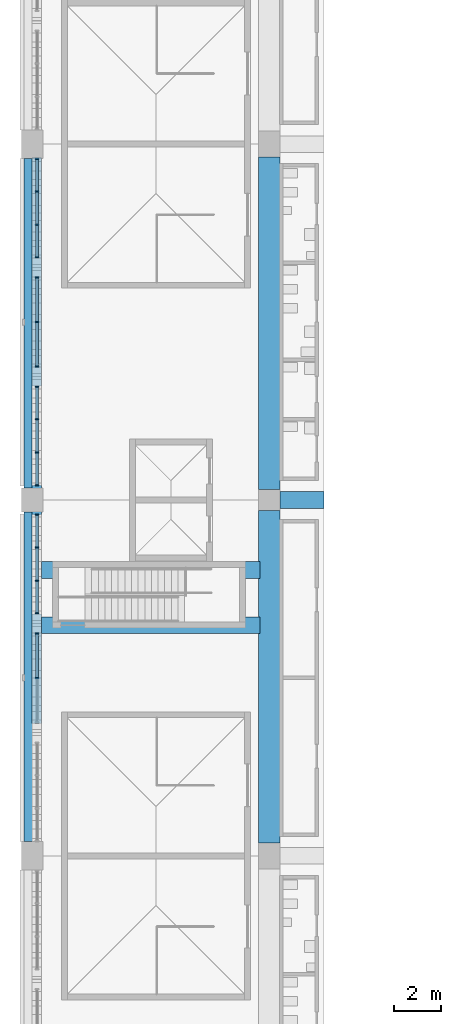
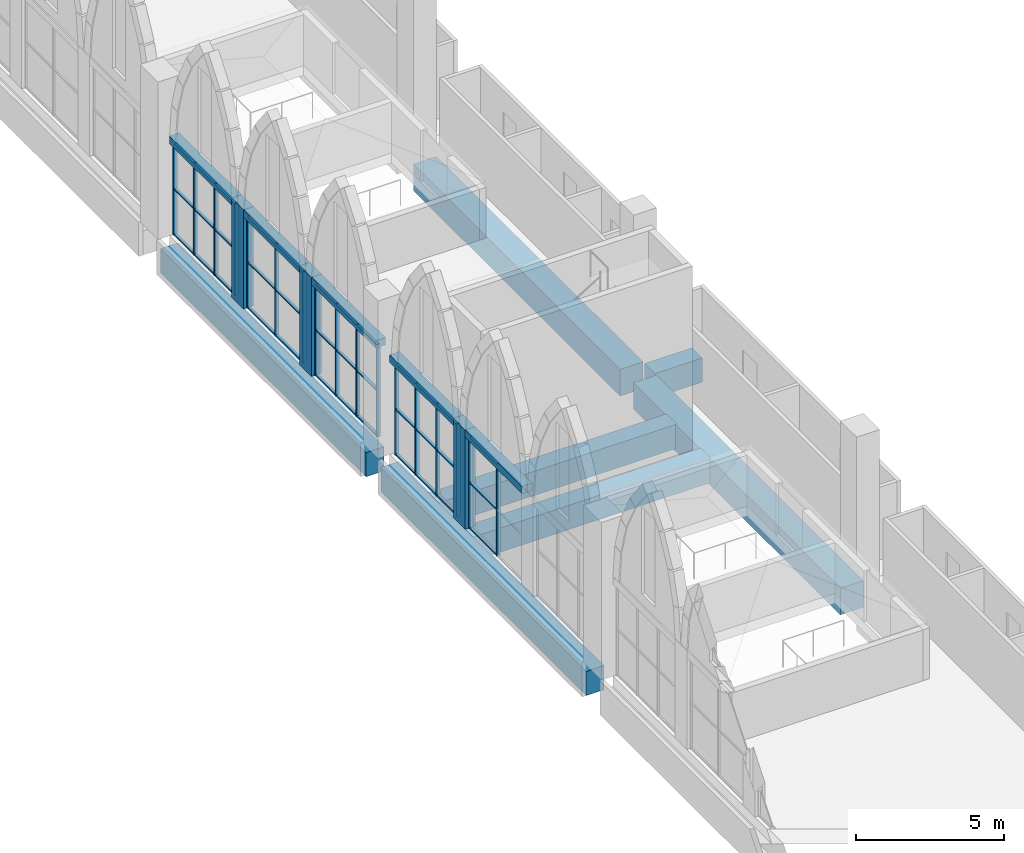
# One storey, part 15 of 130: 56 members, 12 beams, 5 elements without a shape of their own.
"""IFC4 building model written with IfcOpenShell, lengths in metres."""

from ifc_helpers import new_model, si_unit, direction, frame, origin, origin_2d, place, context, subcontext, project, spatial, rectangle, extrude, material, material_profile, profile_set, type_object, element, aggregate, save


model = new_model("IFC4")

# Units and contexts
model_context = context("Model", 3, precision=1e-05, world=origin(), true_north=direction((0.0, 1.0)))
body_context = subcontext(model_context, "Body", "Model", "MODEL_VIEW")
ifc_project = project(units=[si_unit("LENGTHUNIT", "METRE"), si_unit("AREAUNIT", "SQUARE_METRE"), si_unit("VOLUMEUNIT", "CUBIC_METRE"), si_unit("PLANEANGLEUNIT", "RADIAN"), si_unit("MASSUNIT", "GRAM", prefix="KILO")], contexts=[model_context])

# Site, building, storey
site_placement = place(None, origin())
site = spatial("IfcSite", under=ifc_project, at=site_placement, CompositionType="ELEMENT")
building_placement = place(site_placement, origin())
building = spatial("IfcBuilding", under=site, at=building_placement, Name="Ogive Plaza Stadium", CompositionType="ELEMENT")
storey_placement = place(building_placement, frame((0.0, 0.0, 22.5)))
storey = spatial("IfcBuildingStorey", under=building, at=storey_placement, Name="L05", CompositionType="ELEMENT", Elevation=22.5)

# Curtain wall, members
ifc_material_1 = material(Name="Bronze-anodised aluminium with laminated glass", Category="aluminium")
curtain_wall_type = type_object("IfcCurtainWallType", Name="Lancet curtain wall", PredefinedType="NOTDEFINED", material=ifc_material_1)
curtain_wall_1_placement = place(storey_placement, origin())
curtain_wall_1 = element("IfcCurtainWall", 1, at=curtain_wall_1_placement, inside=storey, type_object=curtain_wall_type, Name="CURTAIN WALL B24 L05", PredefinedType="NOTDEFINED")
ifc_material_2 = material(Name="Bronze-anodised aluminium", Category="aluminium")
ifc_material_profile_1 = material_profile(ifc_material_2, rectangle(XDim=0.14990234375, YDim=0.050048828125, at=origin_2d()), Name="AL 150x50")
ifc_profile_set_1 = profile_set([ifc_material_profile_1], Name="Bronze-anodised aluminium")
member_type_1 = type_object("IfcMemberType", Name="Curtain wall mullion 50x150", PredefinedType="MULLION", material=ifc_profile_set_1)
member_1_placement = place(storey_placement, frame((-83.800048828125, 0.0, 0.0), z_axis=(0.0, 0.0, 1.0), x_axis=(-1.0, 0.0, 0.0)))
member_1 = element("IfcMember", 2, at=member_1_placement, type_object=member_type_1, Name="CW-B24-L05.2 mullion 2", PredefinedType="MULLION", context=body_context, shape_type="SweptSolid", body=[
    extrude(rectangle(XDim=0.14990234375, YDim=0.050048828125, at=origin_2d()), origin(), (0.0, 0.0, 1.0), 3.800048828125),
])
member_2_placement = place(storey_placement, frame((-83.800048828125, 1.875, 0.0), z_axis=(0.0, 0.0, 1.0), x_axis=(-1.0, 0.0, 0.0)))
member_2 = element("IfcMember", 3, at=member_2_placement, type_object=member_type_1, Name="CW-B24-L05.2 mullion 3", PredefinedType="MULLION", context=body_context, shape_type="SweptSolid", body=[
    extrude(rectangle(XDim=0.14990234375, YDim=0.050048828125, at=origin_2d()), origin(), (0.0, 0.0, 1.0), 3.800048828125),
])

curtain_wall_2_placement = place(storey_placement, origin())
curtain_wall_2 = element("IfcCurtainWall", 4, at=curtain_wall_2_placement, inside=storey, type_object=curtain_wall_type, Name="CURTAIN WALL B24 L05", PredefinedType="NOTDEFINED")
member_3_placement = place(storey_placement, frame((-83.800048828125, 2.72509765625, 0.0), z_axis=(0.0, 0.0, 1.0), x_axis=(-1.0, 0.0, 0.0)))
member_3 = element("IfcMember", 5, at=member_3_placement, type_object=member_type_1, Name="CW-B24-L05.3 mullion 1", PredefinedType="MULLION", context=body_context, shape_type="SweptSolid", body=[
    extrude(rectangle(XDim=0.14990234375, YDim=0.050048828125, at=origin_2d()), origin(), (0.0, 0.0, 1.0), 3.800048828125),
])
member_4_placement = place(storey_placement, frame((-83.800048828125, 4.10009765625, 0.0), z_axis=(0.0, 0.0, 1.0), x_axis=(-1.0, 0.0, 0.0)))
member_4 = element("IfcMember", 6, at=member_4_placement, type_object=member_type_1, Name="CW-B24-L05.3 mullion 2", PredefinedType="MULLION", context=body_context, shape_type="SweptSolid", body=[
    extrude(rectangle(XDim=0.14990234375, YDim=0.050048828125, at=origin_2d()), origin(), (0.0, 0.0, 1.0), 3.800048828125),
])
member_5_placement = place(storey_placement, frame((-83.800048828125, 5.5, 0.0), z_axis=(0.0, 0.0, 1.0), x_axis=(-1.0, 0.0, 0.0)))
member_5 = element("IfcMember", 7, at=member_5_placement, type_object=member_type_1, Name="CW-B24-L05.3 mullion 3", PredefinedType="MULLION", context=body_context, shape_type="SweptSolid", body=[
    extrude(rectangle(XDim=0.14990234375, YDim=0.050048828125, at=origin_2d()), origin(), (0.0, 0.0, 1.0), 3.800048828125),
])
member_6_placement = place(storey_placement, frame((-83.800048828125, 6.875, 0.0), z_axis=(0.0, 0.0, 1.0), x_axis=(-1.0, 0.0, 0.0)))
member_6 = element("IfcMember", 8, at=member_6_placement, type_object=member_type_1, Name="CW-B24-L05.3 mullion 4", PredefinedType="MULLION", context=body_context, shape_type="SweptSolid", body=[
    extrude(rectangle(XDim=0.14990234375, YDim=0.050048828125, at=origin_2d()), origin(), (0.0, 0.0, 1.0), 3.800048828125),
])

curtain_wall_3_placement = place(storey_placement, origin())
curtain_wall_3 = element("IfcCurtainWall", 9, at=curtain_wall_3_placement, inside=storey, type_object=curtain_wall_type, Name="CURTAIN WALL B25 L05", PredefinedType="NOTDEFINED")
member_7_placement = place(storey_placement, frame((-83.800048828125, 8.125, 0.0), z_axis=(0.0, 0.0, 1.0), x_axis=(-1.0, 0.0, 0.0)))
member_7 = element("IfcMember", 10, at=member_7_placement, type_object=member_type_1, Name="CW-B25-L05.1 mullion 1", PredefinedType="MULLION", context=body_context, shape_type="SweptSolid", body=[
    extrude(rectangle(XDim=0.14990234375, YDim=0.050048828125, at=origin_2d()), origin(), (0.0, 0.0, 1.0), 3.800048828125),
])
member_8_placement = place(storey_placement, frame((-83.800048828125, 9.5, 0.0), z_axis=(0.0, 0.0, 1.0), x_axis=(-1.0, 0.0, 0.0)))
member_8 = element("IfcMember", 11, at=member_8_placement, type_object=member_type_1, Name="CW-B25-L05.1 mullion 2", PredefinedType="MULLION", context=body_context, shape_type="SweptSolid", body=[
    extrude(rectangle(XDim=0.14990234375, YDim=0.050048828125, at=origin_2d()), origin(), (0.0, 0.0, 1.0), 3.800048828125),
])
member_9_placement = place(storey_placement, frame((-83.800048828125, 10.89990234375, 0.0), z_axis=(0.0, 0.0, 1.0), x_axis=(-1.0, 0.0, 0.0)))
member_9 = element("IfcMember", 12, at=member_9_placement, type_object=member_type_1, Name="CW-B25-L05.1 mullion 3", PredefinedType="MULLION", context=body_context, shape_type="SweptSolid", body=[
    extrude(rectangle(XDim=0.14990234375, YDim=0.050048828125, at=origin_2d()), origin(), (0.0, 0.0, 1.0), 3.800048828125),
])
member_10_placement = place(storey_placement, frame((-83.800048828125, 12.27490234375, 0.0), z_axis=(0.0, 0.0, 1.0), x_axis=(-1.0, 0.0, 0.0)))
member_10 = element("IfcMember", 13, at=member_10_placement, type_object=member_type_1, Name="CW-B25-L05.1 mullion 4", PredefinedType="MULLION", context=body_context, shape_type="SweptSolid", body=[
    extrude(rectangle(XDim=0.14990234375, YDim=0.050048828125, at=origin_2d()), origin(), (0.0, 0.0, 1.0), 3.800048828125),
])

curtain_wall_4_placement = place(storey_placement, origin())
curtain_wall_4 = element("IfcCurtainWall", 14, at=curtain_wall_4_placement, inside=storey, type_object=curtain_wall_type, Name="CURTAIN WALL B25 L05", PredefinedType="NOTDEFINED")
member_11_placement = place(storey_placement, frame((-83.800048828125, 13.125, 0.0), z_axis=(0.0, 0.0, 1.0), x_axis=(-1.0, 0.0, 0.0)))
member_11 = element("IfcMember", 15, at=member_11_placement, type_object=member_type_1, Name="CW-B25-L05.2 mullion 1", PredefinedType="MULLION", context=body_context, shape_type="SweptSolid", body=[
    extrude(rectangle(XDim=0.14990234375, YDim=0.050048828125, at=origin_2d()), origin(), (0.0, 0.0, 1.0), 3.800048828125),
])
member_12_placement = place(storey_placement, frame((-83.800048828125, 15.0, 0.0), z_axis=(0.0, 0.0, 1.0), x_axis=(-1.0, 0.0, 0.0)))
member_12 = element("IfcMember", 16, at=member_12_placement, type_object=member_type_1, Name="CW-B25-L05.2 mullion 2", PredefinedType="MULLION", context=body_context, shape_type="SweptSolid", body=[
    extrude(rectangle(XDim=0.14990234375, YDim=0.050048828125, at=origin_2d()), origin(), (0.0, 0.0, 1.0), 3.800048828125),
])
member_13_placement = place(storey_placement, frame((-83.800048828125, 16.875, 0.0), z_axis=(0.0, 0.0, 1.0), x_axis=(-1.0, 0.0, 0.0)))
member_13 = element("IfcMember", 17, at=member_13_placement, type_object=member_type_1, Name="CW-B25-L05.2 mullion 3", PredefinedType="MULLION", context=body_context, shape_type="SweptSolid", body=[
    extrude(rectangle(XDim=0.14990234375, YDim=0.050048828125, at=origin_2d()), origin(), (0.0, 0.0, 1.0), 3.800048828125),
])

curtain_wall_5_placement = place(storey_placement, origin())
curtain_wall_5 = element("IfcCurtainWall", 18, at=curtain_wall_5_placement, inside=storey, type_object=curtain_wall_type, Name="CURTAIN WALL B25 L05", PredefinedType="NOTDEFINED")
member_14_placement = place(storey_placement, frame((-83.800048828125, 17.72509765625, 0.0), z_axis=(0.0, 0.0, 1.0), x_axis=(-1.0, 0.0, 0.0)))
member_14 = element("IfcMember", 19, at=member_14_placement, type_object=member_type_1, Name="CW-B25-L05.3 mullion 1", PredefinedType="MULLION", context=body_context, shape_type="SweptSolid", body=[
    extrude(rectangle(XDim=0.14990234375, YDim=0.050048828125, at=origin_2d()), origin(), (0.0, 0.0, 1.0), 3.800048828125),
])
member_15_placement = place(storey_placement, frame((-83.800048828125, 19.10009765625, 0.0), z_axis=(0.0, 0.0, 1.0), x_axis=(-1.0, 0.0, 0.0)))
member_15 = element("IfcMember", 20, at=member_15_placement, type_object=member_type_1, Name="CW-B25-L05.3 mullion 2", PredefinedType="MULLION", context=body_context, shape_type="SweptSolid", body=[
    extrude(rectangle(XDim=0.14990234375, YDim=0.050048828125, at=origin_2d()), origin(), (0.0, 0.0, 1.0), 3.800048828125),
])
member_16_placement = place(storey_placement, frame((-83.800048828125, 20.5, 0.0), z_axis=(0.0, 0.0, 1.0), x_axis=(-1.0, 0.0, 0.0)))
member_16 = element("IfcMember", 21, at=member_16_placement, type_object=member_type_1, Name="CW-B25-L05.3 mullion 3", PredefinedType="MULLION", context=body_context, shape_type="SweptSolid", body=[
    extrude(rectangle(XDim=0.14990234375, YDim=0.050048828125, at=origin_2d()), origin(), (0.0, 0.0, 1.0), 3.800048828125),
])
member_17_placement = place(storey_placement, frame((-83.800048828125, 21.875, 0.0), z_axis=(0.0, 0.0, 1.0), x_axis=(-1.0, 0.0, 0.0)))
member_17 = element("IfcMember", 22, at=member_17_placement, type_object=member_type_1, Name="CW-B25-L05.3 mullion 4", PredefinedType="MULLION", context=body_context, shape_type="SweptSolid", body=[
    extrude(rectangle(XDim=0.14990234375, YDim=0.050048828125, at=origin_2d()), origin(), (0.0, 0.0, 1.0), 3.800048828125),
])

# Member
ifc_material_3 = material(Name="Bronze-anodised aluminium", Category="aluminium")
ifc_material_profile_2 = material_profile(ifc_material_3, rectangle(XDim=0.1201171875, YDim=0.050048828125, at=origin_2d()), Name="AL 120x50")
ifc_profile_set_2 = profile_set([ifc_material_profile_2], Name="Bronze-anodised aluminium")
member_type_2 = type_object("IfcMemberType", Name="Curtain wall transom 50x120", PredefinedType="USERDEFINED", material=ifc_profile_set_2)
member_18_placement = place(storey_placement, frame((-83.800048828125, 0.02490234375, 0.02490234375), z_axis=(0.0, 1.0, 0.0), x_axis=(-1.0, 0.0, 0.0)))
member_18 = element("IfcMember", 23, at=member_18_placement, type_object=member_type_2, Name="CW-B24-L05.2 transom 2.1", ObjectType="TRANSOM", PredefinedType="USERDEFINED", context=body_context, shape_type="SweptSolid", body=[
    extrude(rectangle(XDim=0.1201171875, YDim=0.050048828125, at=origin_2d()), origin(), (0.0, 0.0, 1.0), 1.8251953125),
])

member_19_placement = place(storey_placement, frame((-83.800048828125, 0.02490234375, 1.89990234375), z_axis=(0.0, 1.0, 0.0), x_axis=(-1.0, 0.0, 0.0)))
member_19 = element("IfcMember", 24, at=member_19_placement, type_object=member_type_2, Name="CW-B24-L05.2 transom 2.2", ObjectType="TRANSOM", PredefinedType="USERDEFINED", context=body_context, shape_type="SweptSolid", body=[
    extrude(rectangle(XDim=0.1201171875, YDim=0.050048828125, at=origin_2d()), origin(), (0.0, 0.0, 1.0), 1.8251953125),
])

member_20_placement = place(storey_placement, frame((-83.800048828125, 0.02490234375, 3.77490234375), z_axis=(0.0, 1.0, 0.0), x_axis=(-1.0, 0.0, 0.0)))
member_20 = element("IfcMember", 25, at=member_20_placement, type_object=member_type_2, Name="CW-B24-L05.2 transom 2.3", ObjectType="TRANSOM", PredefinedType="USERDEFINED", context=body_context, shape_type="SweptSolid", body=[
    extrude(rectangle(XDim=0.1201171875, YDim=0.050048828125, at=origin_2d()), origin(), (0.0, 0.0, 1.0), 1.8251953125),
])

aggregate(curtain_wall_1, [member_1, member_2, member_18, member_19, member_20])

member_21_placement = place(storey_placement, frame((-83.800048828125, 2.75, 0.02490234375), z_axis=(0.0, 1.0, 0.0), x_axis=(-1.0, 0.0, 0.0)))
member_21 = element("IfcMember", 26, at=member_21_placement, type_object=member_type_2, Name="CW-B24-L05.3 transom 1.1", ObjectType="TRANSOM", PredefinedType="USERDEFINED", context=body_context, shape_type="SweptSolid", body=[
    extrude(rectangle(XDim=0.1201171875, YDim=0.050048828125, at=origin_2d()), origin(), (0.0, 0.0, 1.0), 1.324951171875),
])

member_22_placement = place(storey_placement, frame((-83.800048828125, 2.75, 1.89990234375), z_axis=(0.0, 1.0, 0.0), x_axis=(-1.0, 0.0, 0.0)))
member_22 = element("IfcMember", 27, at=member_22_placement, type_object=member_type_2, Name="CW-B24-L05.3 transom 1.2", ObjectType="TRANSOM", PredefinedType="USERDEFINED", context=body_context, shape_type="SweptSolid", body=[
    extrude(rectangle(XDim=0.1201171875, YDim=0.050048828125, at=origin_2d()), origin(), (0.0, 0.0, 1.0), 1.324951171875),
])

member_23_placement = place(storey_placement, frame((-83.800048828125, 2.75, 3.77490234375), z_axis=(0.0, 1.0, 0.0), x_axis=(-1.0, 0.0, 0.0)))
member_23 = element("IfcMember", 28, at=member_23_placement, type_object=member_type_2, Name="CW-B24-L05.3 transom 1.3", ObjectType="TRANSOM", PredefinedType="USERDEFINED", context=body_context, shape_type="SweptSolid", body=[
    extrude(rectangle(XDim=0.1201171875, YDim=0.050048828125, at=origin_2d()), origin(), (0.0, 0.0, 1.0), 1.324951171875),
])

member_24_placement = place(storey_placement, frame((-83.800048828125, 4.125, 0.02490234375), z_axis=(0.0, 1.0, 0.0), x_axis=(-1.0, 0.0, 0.0)))
member_24 = element("IfcMember", 29, at=member_24_placement, type_object=member_type_2, Name="CW-B24-L05.3 transom 2.1", ObjectType="TRANSOM", PredefinedType="USERDEFINED", context=body_context, shape_type="SweptSolid", body=[
    extrude(rectangle(XDim=0.1201171875, YDim=0.050048828125, at=origin_2d()), origin(), (0.0, 0.0, 1.0), 1.35009765625),
])

member_25_placement = place(storey_placement, frame((-83.800048828125, 4.125, 1.89990234375), z_axis=(0.0, 1.0, 0.0), x_axis=(-1.0, 0.0, 0.0)))
member_25 = element("IfcMember", 30, at=member_25_placement, type_object=member_type_2, Name="CW-B24-L05.3 transom 2.2", ObjectType="TRANSOM", PredefinedType="USERDEFINED", context=body_context, shape_type="SweptSolid", body=[
    extrude(rectangle(XDim=0.1201171875, YDim=0.050048828125, at=origin_2d()), origin(), (0.0, 0.0, 1.0), 1.35009765625),
])

member_26_placement = place(storey_placement, frame((-83.800048828125, 4.125, 3.77490234375), z_axis=(0.0, 1.0, 0.0), x_axis=(-1.0, 0.0, 0.0)))
member_26 = element("IfcMember", 31, at=member_26_placement, type_object=member_type_2, Name="CW-B24-L05.3 transom 2.3", ObjectType="TRANSOM", PredefinedType="USERDEFINED", context=body_context, shape_type="SweptSolid", body=[
    extrude(rectangle(XDim=0.1201171875, YDim=0.050048828125, at=origin_2d()), origin(), (0.0, 0.0, 1.0), 1.35009765625),
])

member_27_placement = place(storey_placement, frame((-83.800048828125, 5.52490234375, 0.02490234375), z_axis=(0.0, 1.0, 0.0), x_axis=(-1.0, 0.0, 0.0)))
member_27 = element("IfcMember", 32, at=member_27_placement, type_object=member_type_2, Name="CW-B24-L05.3 transom 3.1", ObjectType="TRANSOM", PredefinedType="USERDEFINED", context=body_context, shape_type="SweptSolid", body=[
    extrude(rectangle(XDim=0.1201171875, YDim=0.050048828125, at=origin_2d()), origin(), (0.0, 0.0, 1.0), 1.3251953125),
])

member_28_placement = place(storey_placement, frame((-83.800048828125, 5.52490234375, 1.89990234375), z_axis=(0.0, 1.0, 0.0), x_axis=(-1.0, 0.0, 0.0)))
member_28 = element("IfcMember", 33, at=member_28_placement, type_object=member_type_2, Name="CW-B24-L05.3 transom 3.2", ObjectType="TRANSOM", PredefinedType="USERDEFINED", context=body_context, shape_type="SweptSolid", body=[
    extrude(rectangle(XDim=0.1201171875, YDim=0.050048828125, at=origin_2d()), origin(), (0.0, 0.0, 1.0), 1.3251953125),
])

member_29_placement = place(storey_placement, frame((-83.800048828125, 5.52490234375, 3.77490234375), z_axis=(0.0, 1.0, 0.0), x_axis=(-1.0, 0.0, 0.0)))
member_29 = element("IfcMember", 34, at=member_29_placement, type_object=member_type_2, Name="CW-B24-L05.3 transom 3.3", ObjectType="TRANSOM", PredefinedType="USERDEFINED", context=body_context, shape_type="SweptSolid", body=[
    extrude(rectangle(XDim=0.1201171875, YDim=0.050048828125, at=origin_2d()), origin(), (0.0, 0.0, 1.0), 1.3251953125),
])

aggregate(curtain_wall_2, [member_3, member_4, member_5, member_6, member_21, member_22, member_23, member_24, member_25, member_26, member_27, member_28, member_29])

member_30_placement = place(storey_placement, frame((-83.800048828125, 8.14990234375, 0.02490234375), z_axis=(0.0, 1.0, 0.0), x_axis=(-1.0, 0.0, 0.0)))
member_30 = element("IfcMember", 35, at=member_30_placement, type_object=member_type_2, Name="CW-B25-L05.1 transom 1.1", ObjectType="TRANSOM", PredefinedType="USERDEFINED", context=body_context, shape_type="SweptSolid", body=[
    extrude(rectangle(XDim=0.1201171875, YDim=0.050048828125, at=origin_2d()), origin(), (0.0, 0.0, 1.0), 1.3251953125),
])

member_31_placement = place(storey_placement, frame((-83.800048828125, 8.14990234375, 1.89990234375), z_axis=(0.0, 1.0, 0.0), x_axis=(-1.0, 0.0, 0.0)))
member_31 = element("IfcMember", 36, at=member_31_placement, type_object=member_type_2, Name="CW-B25-L05.1 transom 1.2", ObjectType="TRANSOM", PredefinedType="USERDEFINED", context=body_context, shape_type="SweptSolid", body=[
    extrude(rectangle(XDim=0.1201171875, YDim=0.050048828125, at=origin_2d()), origin(), (0.0, 0.0, 1.0), 1.3251953125),
])

member_32_placement = place(storey_placement, frame((-83.800048828125, 8.14990234375, 3.77490234375), z_axis=(0.0, 1.0, 0.0), x_axis=(-1.0, 0.0, 0.0)))
member_32 = element("IfcMember", 37, at=member_32_placement, type_object=member_type_2, Name="CW-B25-L05.1 transom 1.3", ObjectType="TRANSOM", PredefinedType="USERDEFINED", context=body_context, shape_type="SweptSolid", body=[
    extrude(rectangle(XDim=0.1201171875, YDim=0.050048828125, at=origin_2d()), origin(), (0.0, 0.0, 1.0), 1.3251953125),
])

member_33_placement = place(storey_placement, frame((-83.800048828125, 9.52490234375, 0.02490234375), z_axis=(0.0, 1.0, 0.0), x_axis=(-1.0, 0.0, 0.0)))
member_33 = element("IfcMember", 38, at=member_33_placement, type_object=member_type_2, Name="CW-B25-L05.1 transom 2.1", ObjectType="TRANSOM", PredefinedType="USERDEFINED", context=body_context, shape_type="SweptSolid", body=[
    extrude(rectangle(XDim=0.1201171875, YDim=0.050048828125, at=origin_2d()), origin(), (0.0, 0.0, 1.0), 1.35009765625),
])

member_34_placement = place(storey_placement, frame((-83.800048828125, 9.52490234375, 1.89990234375), z_axis=(0.0, 1.0, 0.0), x_axis=(-1.0, 0.0, 0.0)))
member_34 = element("IfcMember", 39, at=member_34_placement, type_object=member_type_2, Name="CW-B25-L05.1 transom 2.2", ObjectType="TRANSOM", PredefinedType="USERDEFINED", context=body_context, shape_type="SweptSolid", body=[
    extrude(rectangle(XDim=0.1201171875, YDim=0.050048828125, at=origin_2d()), origin(), (0.0, 0.0, 1.0), 1.35009765625),
])

member_35_placement = place(storey_placement, frame((-83.800048828125, 9.52490234375, 3.77490234375), z_axis=(0.0, 1.0, 0.0), x_axis=(-1.0, 0.0, 0.0)))
member_35 = element("IfcMember", 40, at=member_35_placement, type_object=member_type_2, Name="CW-B25-L05.1 transom 2.3", ObjectType="TRANSOM", PredefinedType="USERDEFINED", context=body_context, shape_type="SweptSolid", body=[
    extrude(rectangle(XDim=0.1201171875, YDim=0.050048828125, at=origin_2d()), origin(), (0.0, 0.0, 1.0), 1.35009765625),
])

member_36_placement = place(storey_placement, frame((-83.800048828125, 10.925048828125, 0.02490234375), z_axis=(0.0, 1.0, 0.0), x_axis=(-1.0, 0.0, 0.0)))
member_36 = element("IfcMember", 41, at=member_36_placement, type_object=member_type_2, Name="CW-B25-L05.1 transom 3.1", ObjectType="TRANSOM", PredefinedType="USERDEFINED", context=body_context, shape_type="SweptSolid", body=[
    extrude(rectangle(XDim=0.1201171875, YDim=0.050048828125, at=origin_2d()), origin(), (0.0, 0.0, 1.0), 1.324951171875),
])

member_37_placement = place(storey_placement, frame((-83.800048828125, 10.925048828125, 1.89990234375), z_axis=(0.0, 1.0, 0.0), x_axis=(-1.0, 0.0, 0.0)))
member_37 = element("IfcMember", 42, at=member_37_placement, type_object=member_type_2, Name="CW-B25-L05.1 transom 3.2", ObjectType="TRANSOM", PredefinedType="USERDEFINED", context=body_context, shape_type="SweptSolid", body=[
    extrude(rectangle(XDim=0.1201171875, YDim=0.050048828125, at=origin_2d()), origin(), (0.0, 0.0, 1.0), 1.324951171875),
])

member_38_placement = place(storey_placement, frame((-83.800048828125, 10.925048828125, 3.77490234375), z_axis=(0.0, 1.0, 0.0), x_axis=(-1.0, 0.0, 0.0)))
member_38 = element("IfcMember", 43, at=member_38_placement, type_object=member_type_2, Name="CW-B25-L05.1 transom 3.3", ObjectType="TRANSOM", PredefinedType="USERDEFINED", context=body_context, shape_type="SweptSolid", body=[
    extrude(rectangle(XDim=0.1201171875, YDim=0.050048828125, at=origin_2d()), origin(), (0.0, 0.0, 1.0), 1.324951171875),
])

aggregate(curtain_wall_3, [member_7, member_8, member_9, member_10, member_30, member_31, member_32, member_33, member_34, member_35, member_36, member_37, member_38])

member_39_placement = place(storey_placement, frame((-83.800048828125, 13.14990234375, 0.02490234375), z_axis=(0.0, 1.0, 0.0), x_axis=(-1.0, 0.0, 0.0)))
member_39 = element("IfcMember", 44, at=member_39_placement, type_object=member_type_2, Name="CW-B25-L05.2 transom 1.1", ObjectType="TRANSOM", PredefinedType="USERDEFINED", context=body_context, shape_type="SweptSolid", body=[
    extrude(rectangle(XDim=0.1201171875, YDim=0.050048828125, at=origin_2d()), origin(), (0.0, 0.0, 1.0), 1.8251953125),
])

member_40_placement = place(storey_placement, frame((-83.800048828125, 13.14990234375, 1.89990234375), z_axis=(0.0, 1.0, 0.0), x_axis=(-1.0, 0.0, 0.0)))
member_40 = element("IfcMember", 45, at=member_40_placement, type_object=member_type_2, Name="CW-B25-L05.2 transom 1.2", ObjectType="TRANSOM", PredefinedType="USERDEFINED", context=body_context, shape_type="SweptSolid", body=[
    extrude(rectangle(XDim=0.1201171875, YDim=0.050048828125, at=origin_2d()), origin(), (0.0, 0.0, 1.0), 1.8251953125),
])

member_41_placement = place(storey_placement, frame((-83.800048828125, 13.14990234375, 3.77490234375), z_axis=(0.0, 1.0, 0.0), x_axis=(-1.0, 0.0, 0.0)))
member_41 = element("IfcMember", 46, at=member_41_placement, type_object=member_type_2, Name="CW-B25-L05.2 transom 1.3", ObjectType="TRANSOM", PredefinedType="USERDEFINED", context=body_context, shape_type="SweptSolid", body=[
    extrude(rectangle(XDim=0.1201171875, YDim=0.050048828125, at=origin_2d()), origin(), (0.0, 0.0, 1.0), 1.8251953125),
])

member_42_placement = place(storey_placement, frame((-83.800048828125, 15.02490234375, 0.02490234375), z_axis=(0.0, 1.0, 0.0), x_axis=(-1.0, 0.0, 0.0)))
member_42 = element("IfcMember", 47, at=member_42_placement, type_object=member_type_2, Name="CW-B25-L05.2 transom 2.1", ObjectType="TRANSOM", PredefinedType="USERDEFINED", context=body_context, shape_type="SweptSolid", body=[
    extrude(rectangle(XDim=0.1201171875, YDim=0.050048828125, at=origin_2d()), origin(), (0.0, 0.0, 1.0), 1.8251953125),
])

member_43_placement = place(storey_placement, frame((-83.800048828125, 15.02490234375, 1.89990234375), z_axis=(0.0, 1.0, 0.0), x_axis=(-1.0, 0.0, 0.0)))
member_43 = element("IfcMember", 48, at=member_43_placement, type_object=member_type_2, Name="CW-B25-L05.2 transom 2.2", ObjectType="TRANSOM", PredefinedType="USERDEFINED", context=body_context, shape_type="SweptSolid", body=[
    extrude(rectangle(XDim=0.1201171875, YDim=0.050048828125, at=origin_2d()), origin(), (0.0, 0.0, 1.0), 1.8251953125),
])

member_44_placement = place(storey_placement, frame((-83.800048828125, 15.02490234375, 3.77490234375), z_axis=(0.0, 1.0, 0.0), x_axis=(-1.0, 0.0, 0.0)))
member_44 = element("IfcMember", 49, at=member_44_placement, type_object=member_type_2, Name="CW-B25-L05.2 transom 2.3", ObjectType="TRANSOM", PredefinedType="USERDEFINED", context=body_context, shape_type="SweptSolid", body=[
    extrude(rectangle(XDim=0.1201171875, YDim=0.050048828125, at=origin_2d()), origin(), (0.0, 0.0, 1.0), 1.8251953125),
])

aggregate(curtain_wall_4, [member_11, member_12, member_13, member_39, member_40, member_41, member_42, member_43, member_44])

member_45_placement = place(storey_placement, frame((-83.800048828125, 17.75, 0.02490234375), z_axis=(0.0, 1.0, 0.0), x_axis=(-1.0, 0.0, 0.0)))
member_45 = element("IfcMember", 50, at=member_45_placement, type_object=member_type_2, Name="CW-B25-L05.3 transom 1.1", ObjectType="TRANSOM", PredefinedType="USERDEFINED", context=body_context, shape_type="SweptSolid", body=[
    extrude(rectangle(XDim=0.1201171875, YDim=0.050048828125, at=origin_2d()), origin(), (0.0, 0.0, 1.0), 1.324951171875),
])

member_46_placement = place(storey_placement, frame((-83.800048828125, 17.75, 1.89990234375), z_axis=(0.0, 1.0, 0.0), x_axis=(-1.0, 0.0, 0.0)))
member_46 = element("IfcMember", 51, at=member_46_placement, type_object=member_type_2, Name="CW-B25-L05.3 transom 1.2", ObjectType="TRANSOM", PredefinedType="USERDEFINED", context=body_context, shape_type="SweptSolid", body=[
    extrude(rectangle(XDim=0.1201171875, YDim=0.050048828125, at=origin_2d()), origin(), (0.0, 0.0, 1.0), 1.324951171875),
])

member_47_placement = place(storey_placement, frame((-83.800048828125, 17.75, 3.77490234375), z_axis=(0.0, 1.0, 0.0), x_axis=(-1.0, 0.0, 0.0)))
member_47 = element("IfcMember", 52, at=member_47_placement, type_object=member_type_2, Name="CW-B25-L05.3 transom 1.3", ObjectType="TRANSOM", PredefinedType="USERDEFINED", context=body_context, shape_type="SweptSolid", body=[
    extrude(rectangle(XDim=0.1201171875, YDim=0.050048828125, at=origin_2d()), origin(), (0.0, 0.0, 1.0), 1.324951171875),
])

member_48_placement = place(storey_placement, frame((-83.800048828125, 19.125, 0.02490234375), z_axis=(0.0, 1.0, 0.0), x_axis=(-1.0, 0.0, 0.0)))
member_48 = element("IfcMember", 53, at=member_48_placement, type_object=member_type_2, Name="CW-B25-L05.3 transom 2.1", ObjectType="TRANSOM", PredefinedType="USERDEFINED", context=body_context, shape_type="SweptSolid", body=[
    extrude(rectangle(XDim=0.1201171875, YDim=0.050048828125, at=origin_2d()), origin(), (0.0, 0.0, 1.0), 1.35009765625),
])

member_49_placement = place(storey_placement, frame((-83.800048828125, 19.125, 1.89990234375), z_axis=(0.0, 1.0, 0.0), x_axis=(-1.0, 0.0, 0.0)))
member_49 = element("IfcMember", 54, at=member_49_placement, type_object=member_type_2, Name="CW-B25-L05.3 transom 2.2", ObjectType="TRANSOM", PredefinedType="USERDEFINED", context=body_context, shape_type="SweptSolid", body=[
    extrude(rectangle(XDim=0.1201171875, YDim=0.050048828125, at=origin_2d()), origin(), (0.0, 0.0, 1.0), 1.35009765625),
])

member_50_placement = place(storey_placement, frame((-83.800048828125, 19.125, 3.77490234375), z_axis=(0.0, 1.0, 0.0), x_axis=(-1.0, 0.0, 0.0)))
member_50 = element("IfcMember", 55, at=member_50_placement, type_object=member_type_2, Name="CW-B25-L05.3 transom 2.3", ObjectType="TRANSOM", PredefinedType="USERDEFINED", context=body_context, shape_type="SweptSolid", body=[
    extrude(rectangle(XDim=0.1201171875, YDim=0.050048828125, at=origin_2d()), origin(), (0.0, 0.0, 1.0), 1.35009765625),
])

member_51_placement = place(storey_placement, frame((-83.800048828125, 20.52490234375, 0.02490234375), z_axis=(0.0, 1.0, 0.0), x_axis=(-1.0, 0.0, 0.0)))
member_51 = element("IfcMember", 56, at=member_51_placement, type_object=member_type_2, Name="CW-B25-L05.3 transom 3.1", ObjectType="TRANSOM", PredefinedType="USERDEFINED", context=body_context, shape_type="SweptSolid", body=[
    extrude(rectangle(XDim=0.1201171875, YDim=0.050048828125, at=origin_2d()), origin(), (0.0, 0.0, 1.0), 1.3251953125),
])

member_52_placement = place(storey_placement, frame((-83.800048828125, 20.52490234375, 1.89990234375), z_axis=(0.0, 1.0, 0.0), x_axis=(-1.0, 0.0, 0.0)))
member_52 = element("IfcMember", 57, at=member_52_placement, type_object=member_type_2, Name="CW-B25-L05.3 transom 3.2", ObjectType="TRANSOM", PredefinedType="USERDEFINED", context=body_context, shape_type="SweptSolid", body=[
    extrude(rectangle(XDim=0.1201171875, YDim=0.050048828125, at=origin_2d()), origin(), (0.0, 0.0, 1.0), 1.3251953125),
])

member_53_placement = place(storey_placement, frame((-83.800048828125, 20.52490234375, 3.77490234375), z_axis=(0.0, 1.0, 0.0), x_axis=(-1.0, 0.0, 0.0)))
member_53 = element("IfcMember", 58, at=member_53_placement, type_object=member_type_2, Name="CW-B25-L05.3 transom 3.3", ObjectType="TRANSOM", PredefinedType="USERDEFINED", context=body_context, shape_type="SweptSolid", body=[
    extrude(rectangle(XDim=0.1201171875, YDim=0.050048828125, at=origin_2d()), origin(), (0.0, 0.0, 1.0), 1.3251953125),
])

aggregate(curtain_wall_5, [member_14, member_15, member_16, member_17, member_45, member_46, member_47, member_48, member_49, member_50, member_51, member_52, member_53])

# Members
ifc_material_4 = material(Name="Concrete C45/55 precast", Category="concrete")
ifc_material_profile_3 = material_profile(ifc_material_4, rectangle(XDim=0.39990234375, YDim=0.800048828125, at=origin_2d()), Name="RC 400x800")
ifc_profile_set_3 = profile_set([ifc_material_profile_3], Name="Concrete C45/55 precast")
member_type_3 = type_object("IfcMemberType", Name="Precast colonette 800x400", PredefinedType="POST", material=ifc_profile_set_3)
for number, where, z_axis, x_axis, name in (
    (59, (-83.800048828125, 2.300048828125, 0.0), (0.0, 0.0, 1.0), (-1.0, 0.0, 0.0), "COLONETTE B24 2"),
    (60, (-83.800048828125, 12.699951171875, 0.0), (0.0, 0.0, 1.0), (-1.0, 0.0, 0.0), "COLONETTE B25 1"),
    (61, (-83.800048828125, 17.300048828125, 0.0), (0.0, 0.0, 1.0), (-1.0, 0.0, 0.0), "COLONETTE B25 2"),
):
    element("IfcMember", number, at=place(storey_placement, frame(where, z_axis=z_axis, x_axis=x_axis)), inside=storey, type_object=member_type_3, Name=name, PredefinedType="POST", context=body_context, shape_type="SweptSolid", body=[
        extrude(rectangle(XDim=0.39990234375, YDim=0.800048828125, at=origin_2d()), origin(), (0.0, 0.0, 1.0), 4.10009765625),
    ])

# Beams
ifc_material_5 = material(Name="Concrete C45/55 precast", Category="concrete")
ifc_material_profile_4 = material_profile(ifc_material_5, rectangle(XDim=0.39990234375, YDim=0.300048828125, at=origin_2d()), Name="RC 400x300")
ifc_profile_set_4 = profile_set([ifc_material_profile_4], Name="Concrete C45/55 precast")
beam_type_1 = type_object("IfcBeamType", Name="Precast tympanum lintel 400x300", PredefinedType="BEAM", material=ifc_profile_set_4)
beam_1_placement = place(storey_placement, frame((-83.800048828125, -1.929931640625, 3.949951171875), z_axis=(0.0, 1.0, 0.0), x_axis=(-1.0, 0.0, 0.0)))
element("IfcBeam", 62, at=beam_1_placement, inside=storey, type_object=beam_type_1, Name="TYMPANUM LINTEL B24 2", PredefinedType="BEAM", context=body_context, shape_type="SweptSolid", body=[
    extrude(rectangle(XDim=0.39990234375, YDim=0.300048828125, at=origin_2d()), origin(), (0.0, 0.0, 1.0), 3.85986328125),
])
for number, where, z_axis, x_axis, name in (
    (63, (-83.800048828125, 2.669921875, 3.949951171875), (0.0, 1.0, 0.0), (-1.0, 0.0, 0.0), "TYMPANUM LINTEL B24 3"),
    (64, (-83.800048828125, 7.969970703125, 3.949951171875), (0.0, 1.0, 0.0), (-1.0, 0.0, 0.0), "TYMPANUM LINTEL B25 1"),
):
    element("IfcBeam", number, at=place(storey_placement, frame(where, z_axis=z_axis, x_axis=x_axis)), inside=storey, type_object=beam_type_1, Name=name, PredefinedType="BEAM", context=body_context, shape_type="SweptSolid", body=[
        extrude(rectangle(XDim=0.39990234375, YDim=0.300048828125, at=origin_2d()), origin(), (0.0, 0.0, 1.0), 4.360107421875),
    ])
beam_2_placement = place(storey_placement, frame((-83.800048828125, 13.070068359375, 3.949951171875), z_axis=(0.0, 1.0, 0.0), x_axis=(-1.0, 0.0, 0.0)))
element("IfcBeam", 65, at=beam_2_placement, inside=storey, type_object=beam_type_1, Name="TYMPANUM LINTEL B25 2", PredefinedType="BEAM", context=body_context, shape_type="SweptSolid", body=[
    extrude(rectangle(XDim=0.39990234375, YDim=0.300048828125, at=origin_2d()), origin(), (0.0, 0.0, 1.0), 3.85986328125),
])
beam_3_placement = place(storey_placement, frame((-83.800048828125, 17.669921875, 3.949951171875), z_axis=(0.0, 1.0, 0.0), x_axis=(-1.0, 0.0, 0.0)))
element("IfcBeam", 66, at=beam_3_placement, inside=storey, type_object=beam_type_1, Name="TYMPANUM LINTEL B25 3", PredefinedType="BEAM", context=body_context, shape_type="SweptSolid", body=[
    extrude(rectangle(XDim=0.39990234375, YDim=0.300048828125, at=origin_2d()), origin(), (0.0, 0.0, 1.0), 4.260009765625),
])
ifc_material_6 = material(Name="Concrete C40/50", Category="concrete")
ifc_material_profile_5 = material_profile(ifc_material_6, rectangle(XDim=0.699951171875, YDim=1.0, at=origin_2d()), Name="RC 700x1000")
ifc_profile_set_5 = profile_set([ifc_material_profile_5], Name="Concrete C40/50")
beam_type_2 = type_object("IfcBeamType", Name="RC radial beam 700x1000", PredefinedType="BEAM", material=ifc_profile_set_5)
beam_4_placement = place(storey_placement, frame((-71.699951171875, 7.5, -0.909912109375), z_axis=(-1.0, 0.0, 0.0), x_axis=(0.0, -1.0, 0.0)))
element("IfcBeam", 67, at=beam_4_placement, inside=storey, type_object=beam_type_2, Name="Raker tail beam UT R25", PredefinedType="BEAM", context=body_context, shape_type="SweptSolid", body=[
    extrude(rectangle(XDim=0.699951171875, YDim=1.0, at=origin_2d()), origin(), (0.0, 0.0, 1.0), 1.85009765625),
])
for number, where, z_axis, x_axis, name in (
    (68, (-74.39990234375, 4.550048828125, -0.909912109375), (-1.0, 0.0, 0.0), (0.0, -1.0, 0.0), "Roof access stair RA2 support beam S"),
    (69, (-74.39990234375, 2.22509765625, -0.909912109375), (-1.0, 0.0, 0.0), (0.0, -1.0, 0.0), "Roof access stair RA2 support beam N"),
):
    element("IfcBeam", number, at=place(storey_placement, frame(where, z_axis=z_axis, x_axis=x_axis)), inside=storey, type_object=beam_type_2, Name=name, PredefinedType="BEAM", context=body_context, shape_type="SweptSolid", body=[
        extrude(rectangle(XDim=0.699951171875, YDim=1.0, at=origin_2d()), origin(), (0.0, 0.0, 1.0), 9.300048828125),
    ])
ifc_material_7 = material(Name="Concrete C40/50", Category="concrete")
ifc_material_profile_6 = material_profile(ifc_material_7, rectangle(XDim=0.89990234375, YDim=1.10009765625, at=origin_2d()), Name="RC 900x1100")
ifc_profile_set_6 = profile_set([ifc_material_profile_6], Name="Concrete C40/50")
beam_type_3 = type_object("IfcBeamType", Name="RC ring beam 900x1100", PredefinedType="BEAM", material=ifc_profile_set_6)
for number, where, z_axis, x_axis, name in (
    (70, (-74.0, -6.949951171875, -0.9599609375), (0.0, 1.0, 0.0), (-1.0, 0.0, 0.0), "Ring beam F4 L05 B24"),
    (71, (-74.0, 7.949951171875, -0.9599609375), (0.0, 1.0, 0.0), (-1.0, 0.0, 0.0), "Ring beam F4 L05 B25"),
):
    element("IfcBeam", number, at=place(storey_placement, frame(where, z_axis=z_axis, x_axis=x_axis)), inside=storey, type_object=beam_type_3, Name=name, PredefinedType="BEAM", context=body_context, shape_type="SweptSolid", body=[
        extrude(rectangle(XDim=0.89990234375, YDim=1.10009765625, at=origin_2d()), origin(), (0.0, 0.0, 1.0), 14.0),
    ])
ifc_material_8 = material(Name="Concrete C40/50", Category="concrete")
ifc_material_profile_7 = material_profile(ifc_material_8, rectangle(XDim=0.699951171875, YDim=1.0, at=origin_2d()), Name="RC 700x1000")
ifc_profile_set_7 = profile_set([ifc_material_profile_7], Name="Concrete C40/50")
beam_type_4 = type_object("IfcBeamType", Name="RC spandrel beam 700x1000", PredefinedType="SPANDREL", material=ifc_profile_set_7)
for number, where, z_axis, x_axis, name in (
    (72, (-84.0, -6.89990234375, -0.909912109375), (0.0, 1.0, 0.0), (-1.0, 0.0, 0.0), "Ring beam F5 L05 B24"),
    (73, (-84.0, 8.0, -0.909912109375), (0.0, 1.0, 0.0), (-1.0, 0.0, 0.0), "Ring beam F5 L05 B25"),
):
    element("IfcBeam", number, at=place(storey_placement, frame(where, z_axis=z_axis, x_axis=x_axis)), inside=storey, type_object=beam_type_4, Name=name, PredefinedType="SPANDREL", context=body_context, shape_type="SweptSolid", body=[
        extrude(rectangle(XDim=0.699951171875, YDim=1.0, at=origin_2d()), origin(), (0.0, 0.0, 1.0), 13.89990234375),
    ])

save(model, "model.ifc")
